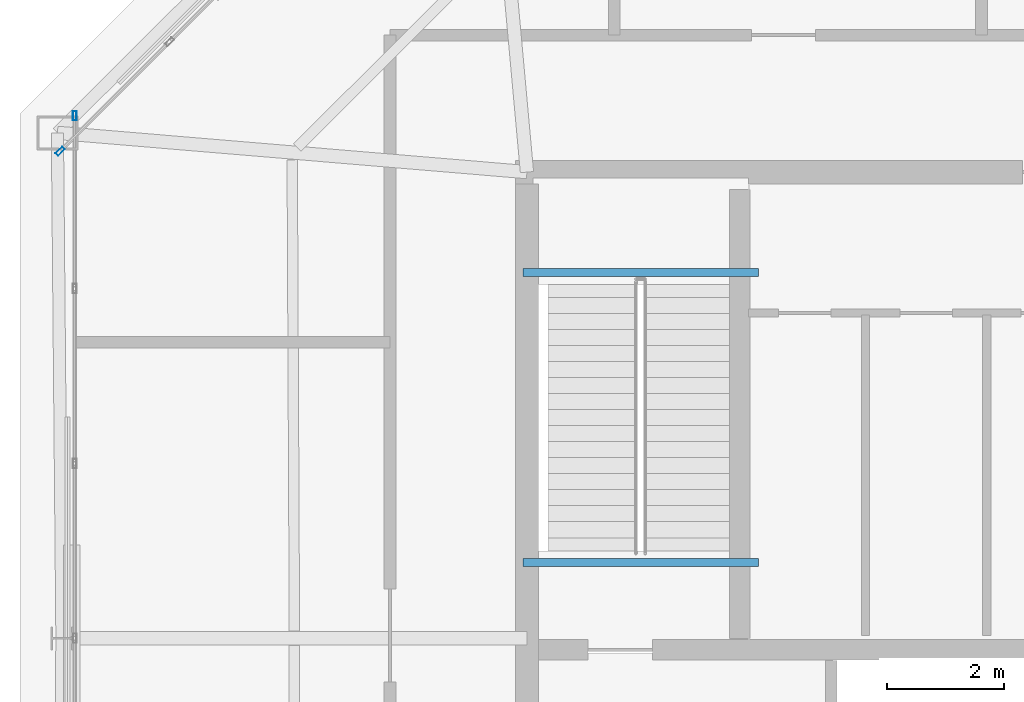
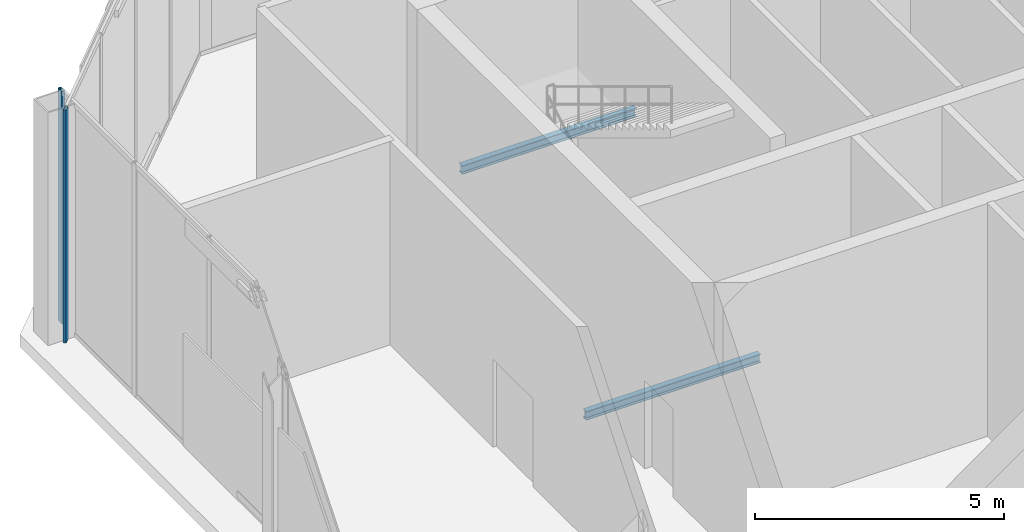
# One storey, part 9 of 20: 2 beams, 2 members, 2 elements without a shape of their own.
"""IFC4 building model written with IfcOpenShell, lengths in metres."""

from ifc_helpers import new_model, si_unit, direction, frame, origin, origin_2d, place, context, subcontext, project, spatial, hollow_rectangle, i_section, extrude, material, layer, layer_set, material_profile, profile_set, type_object, element, aggregate, save


model = new_model("IFC4")

# Units and contexts
model_context = context("Model", 3, precision=1e-05, world=origin(), true_north=direction((0.0, 1.0)))
body_context = subcontext(model_context, "Body", "Model", "MODEL_VIEW")
ifc_project = project(units=[si_unit("LENGTHUNIT", "METRE"), si_unit("AREAUNIT", "SQUARE_METRE"), si_unit("VOLUMEUNIT", "CUBIC_METRE"), si_unit("PLANEANGLEUNIT", "RADIAN"), si_unit("MASSUNIT", "GRAM", prefix="KILO")], contexts=[model_context])

# Site, building, storey
site_placement = place(None, origin())
site = spatial("IfcSite", under=ifc_project, at=site_placement, CompositionType="ELEMENT")
building_placement = place(site_placement, origin())
building = spatial("IfcBuilding", under=site, at=building_placement, Name="Caelvoria Tower", CompositionType="ELEMENT")
storey_placement = place(building_placement, frame((0.0, 0.0, 284.199951171875)))
storey = spatial("IfcBuildingStorey", under=building, at=storey_placement, Name="C1", CompositionType="ELEMENT", Elevation=284.199951171875)

# Beams
ifc_material_1 = material(Name="Structural Steel ASTM A992 Gr.50", Category="steel")
ifc_material_profile_1 = material_profile(ifc_material_1, i_section(OverallWidth=0.134033203125, OverallDepth=0.2099609375, WebThickness=0.00634765625, FlangeThickness=0.01025390625, FilletRadius=0.010009765625, at=origin_2d()), Name="Structural Steel ASTM A992 Gr.50")
ifc_profile_set_1 = profile_set([ifc_material_profile_1], Name="W200X31.3 - Structural Steel ASTM A992 Gr.50")
beam_type = type_object("IfcBeamType", Name="Canopy Edge Trim Beam W200X31.3", PredefinedType="BEAM", material=ifc_profile_set_1)
for number, where, z_axis, x_axis, name in (
    (1, (36.929931640625, 38.27490234375, 2.695068359375), (1.0, 0.0, 0.0), (0.0, 1.0, 0.0), "ST-01 Half-Landing Support Beam C1"),
    (2, (36.929931640625, 33.300048828125, -0.304931640625), (1.0, 0.0, 0.0), (0.0, 1.0, 0.0), "ST-01 Floor-Landing Support Beam C1"),
):
    element("IfcBeam", number, at=place(storey_placement, frame(where, z_axis=z_axis, x_axis=x_axis)), inside=storey, type_object=beam_type, Name=name, PredefinedType="BEAM", context=body_context, shape_type="SweptSolid", body=[
        extrude(i_section(OverallWidth=0.134033203125, OverallDepth=0.2099609375, WebThickness=0.00634765625, FlangeThickness=0.01025390625, FilletRadius=0.010009765625, at=origin_2d()), origin(), (0.0, 0.0, 1.0), 4.0400390625),
    ])

# Curtain wall, member
ifc_material_2 = material(Name="Anodised Bronze Aluminium and Low-E Glass", Category="aluminium")
ifc_layer = layer(ifc_material_2, 0.179931640625, Name="Anodised Bronze Aluminium and Low-E Glass")
ifc_layer_set = layer_set([ifc_layer], Name="CW System 6 Slanted Crown Bronze Screen Facade - Anodised Bronze Aluminium and Low-E Glass")
curtain_wall_type = type_object("IfcCurtainWallType", Name="CW System 6 Slanted Crown Bronze Screen Facade", PredefinedType="NOTDEFINED", material=ifc_layer_set)
curtain_wall_1_placement = place(storey_placement, origin())
curtain_wall_1 = element("IfcCurtainWall", 3, at=curtain_wall_1_placement, inside=storey, type_object=curtain_wall_type, Name="CW-06 Curtain Wall C1-E5", PredefinedType="NOTDEFINED")
ifc_material_3 = material(Name="Anodised Bronze Architectural Aluminium", Category="aluminium")
ifc_material_profile_2 = material_profile(ifc_material_3, hollow_rectangle(XDim=0.06494140625, YDim=0.159912109375, WallThickness=0.00390625, at=origin_2d()), Name="Anodised Bronze Architectural Aluminium")
ifc_profile_set_2 = profile_set([ifc_material_profile_2], Name="CW_MULL_65X160 - Anodised Bronze Architectural Aluminium")
member_type = type_object("IfcMemberType", Name="Curtain Wall Mullion 65x160 Bronze Aluminium", PredefinedType="MULLION", material=ifc_profile_set_2)
member_1_placement = place(storey_placement, frame((28.98779296875, 40.3583984375, 0.0), z_axis=(0.0, 0.0, 1.0), x_axis=(0.707106781187, -0.707106781187, 0.0)))
member_1 = element("IfcMember", 4, at=member_1_placement, type_object=member_type, Name="CW-06 mullion 5", PredefinedType="MULLION", context=body_context, shape_type="SweptSolid", body=[
    extrude(hollow_rectangle(XDim=0.06494140625, YDim=0.159912109375, WallThickness=0.00390625, at=origin_2d()), origin(), (0.0, 0.0, 1.0), 5.699951171875),
])
aggregate(curtain_wall_1, [member_1])

curtain_wall_2_placement = place(storey_placement, origin())
curtain_wall_2 = element("IfcCurtainWall", 5, at=curtain_wall_2_placement, inside=storey, type_object=curtain_wall_type, Name="CW-06 Curtain Wall C1-E6", PredefinedType="NOTDEFINED")
member_2_placement = place(storey_placement, frame((29.239990234375, 40.967529296875, 0.0), z_axis=(0.0, 0.0, 1.0), x_axis=(1.0, 0.0, 0.0)))
member_2 = element("IfcMember", 6, at=member_2_placement, type_object=member_type, Name="CW-06 mullion 1", PredefinedType="MULLION", context=body_context, shape_type="SweptSolid", body=[
    extrude(hollow_rectangle(XDim=0.06494140625, YDim=0.159912109375, WallThickness=0.00390625, at=origin_2d()), origin(), (0.0, 0.0, 1.0), 5.699951171875),
])
aggregate(curtain_wall_2, [member_2])

save(model, "model.ifc")
